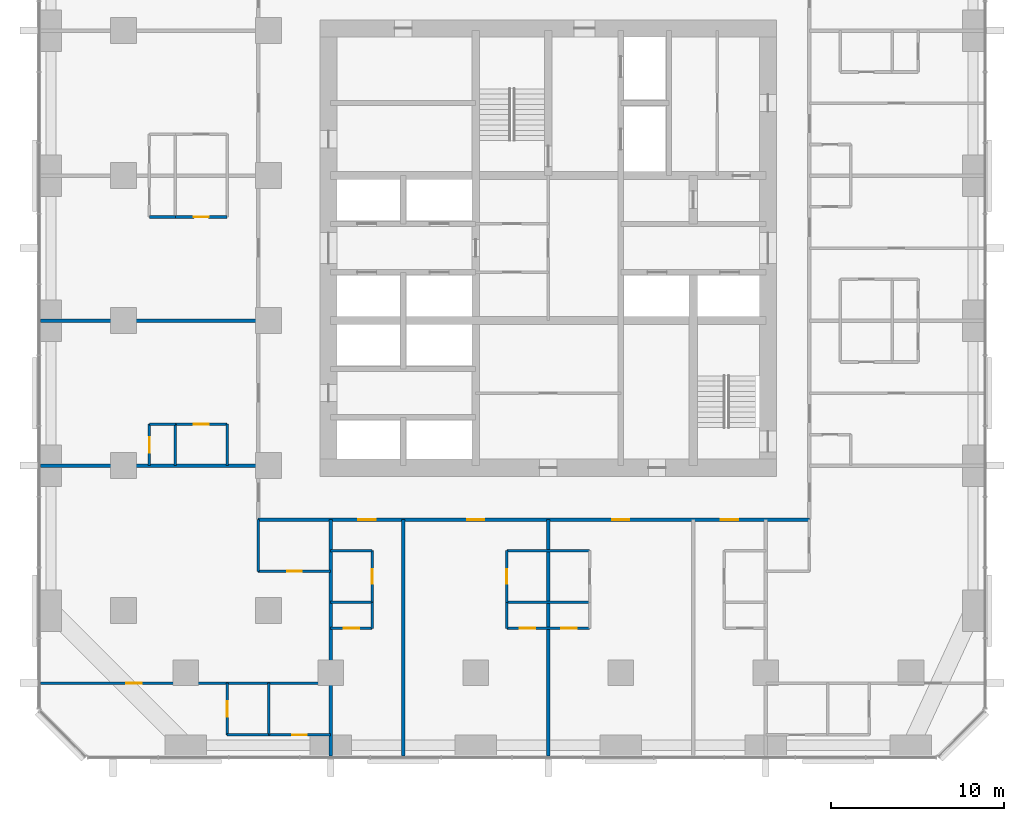
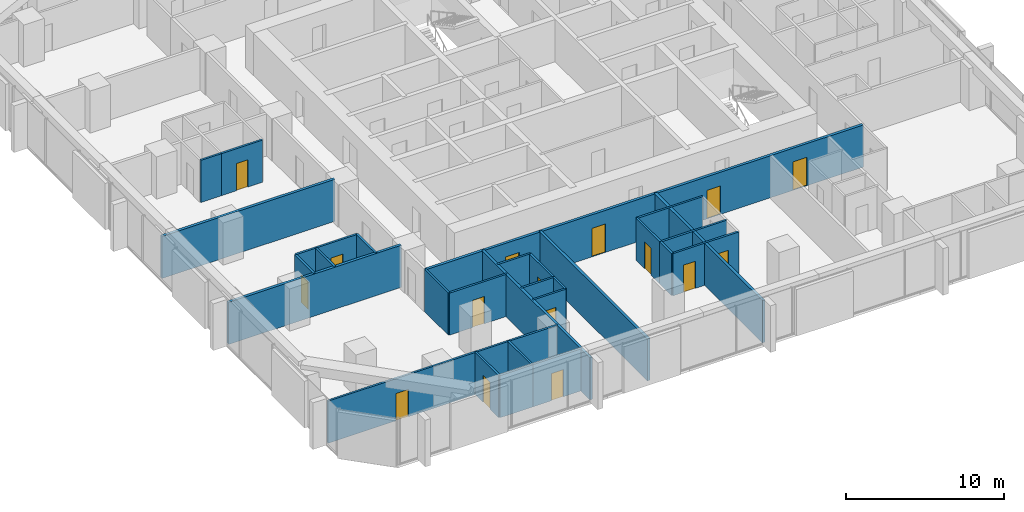
# One storey, part 8 of 14: 30 walls, 16 doors, 16 openings.
"""IFC4 building model written with IfcOpenShell, lengths in metres."""

from ifc_helpers import new_model, si_unit, direction, frame, frame_2d, origin, place, context, subcontext, project, spatial, rectangle, extrude, material, layer, layer_set, type_object, element, fill, save


model = new_model("IFC4")

# Units and contexts
model_context = context("Model", 3, precision=1e-05, world=origin(), true_north=direction((0.0, 1.0)))
body_context = subcontext(model_context, "Body", "Model", "MODEL_VIEW")
ifc_project = project(units=[si_unit("LENGTHUNIT", "METRE"), si_unit("AREAUNIT", "SQUARE_METRE"), si_unit("VOLUMEUNIT", "CUBIC_METRE"), si_unit("PLANEANGLEUNIT", "RADIAN"), si_unit("MASSUNIT", "GRAM", prefix="KILO")], contexts=[model_context])

# Site, building, storey
site_placement = place(None, origin())
site = spatial("IfcSite", under=ifc_project, at=site_placement, CompositionType="ELEMENT")
building_placement = place(site_placement, origin())
building = spatial("IfcBuilding", under=site, at=building_placement, Name="Dunama Terrace Hotel", CompositionType="ELEMENT")
storey_placement = place(building_placement, frame((0.0, 0.0, 129.60009765625)))
storey = spatial("IfcBuildingStorey", under=building, at=storey_placement, Name="L33", CompositionType="ELEMENT", Elevation=129.60009765625)

# Walls
ifc_material_1 = material(Name="Gypsum board partition", Category="masonry")
ifc_layer_1 = layer(ifc_material_1, 0.14990234375)
ifc_layer_set_1 = layer_set([ifc_layer_1], Name="Bathroom partition 150")
wall_type_1 = type_object("IfcWallType", Name="Bathroom partition 150", PredefinedType="PARTITIONING", material=ifc_layer_set_1)
wall_1_placement = place(storey_placement, frame((10.800048828125, 16.800048828125, 0.0), z_axis=(0.0, 0.0, 1.0), x_axis=(0.0, 1.0, 0.0)))
element("IfcWall", 1, at=wall_1_placement, inside=storey, type_object=wall_type_1, Name="Bathroom partition 150 L33", PredefinedType="PARTITIONING", context=body_context, shape_type="SweptSolid", body=[
    extrude(rectangle(XDim=2.39990234375, YDim=0.14990234375, at=frame_2d((1.199951171875, 0.0))), origin(), (0.0, 0.0, 1.0), 3.25),
])
wall_2_placement = place(storey_placement, frame((12.60009765625, 10.675048828125, 0.0), z_axis=(0.0, 0.0, 1.0), x_axis=(0.0, 1.0, 0.0)))
element("IfcWall", 2, at=wall_2_placement, inside=storey, type_object=wall_type_1, Name="Bathroom partition 150 L33", PredefinedType="PARTITIONING", context=body_context, shape_type="SweptSolid", body=[
    extrude(rectangle(XDim=3.0, YDim=0.14990234375, at=frame_2d((1.5, 0.0))), origin(), (0.0, 0.0, 1.0), 3.25),
])

# Wall, opening, door
wall_3_placement = place(storey_placement, frame((19.199951171875, 8.875, 0.0), z_axis=(0.0, 0.0, 1.0), x_axis=(0.0, 1.0, 0.0)))
wall_3 = element("IfcWall", 3, at=wall_3_placement, inside=storey, type_object=wall_type_1, Name="Bathroom partition 150 L33", PredefinedType="PARTITIONING", context=body_context, shape_type="SweptSolid", body=[
    extrude(rectangle(XDim=3.0, YDim=0.14990234375, at=frame_2d((1.5, 0.0))), origin(), (0.0, 0.0, 1.0), 3.25),
])
opening_1_placement = place(wall_3_placement, frame((1.074951171875, 0.0, 0.0)))
opening_1 = element("IfcOpeningElement", 4, at=opening_1_placement, cuts=wall_3, Name="Opening L31-33-012", PredefinedType="OPENING", context=body_context, shape_type="SweptSolid", body=[
    extrude(rectangle(XDim=0.85009765625, YDim=2.10009765625, at=frame_2d((0.425048828125, 1.050048828125))), frame((0.0, 0.0849609375, 0.0), z_axis=(0.0, -1.0, 0.0), x_axis=(1.0, 0.0, 0.0)), (0.0, 0.0, 1.0), 0.169921875),
])
ifc_material_2 = material(Name="Timber door with steel frame", Category="steel")
door_type_1 = type_object("IfcDoorType", Name="Bathroom door 850", OperationType="SINGLE_SWING_LEFT", PredefinedType="DOOR", material=ifc_material_2)
door_1_placement = place(opening_1_placement, origin())
door_1 = element("IfcDoor", 5, at=door_1_placement, inside=storey, type_object=door_type_1, Name="Door to en-suite bathroom L31-33-012, type D2", OperationType="SINGLE_SWING_LEFT", OverallHeight=2.10009765625, OverallWidth=0.85009765625, PredefinedType="DOOR", context=body_context, shape_type="SweptSolid", body=[
    extrude(rectangle(XDim=0.85009765625, YDim=2.10009765625, at=frame_2d((0.425048828125, 1.050048828125))), frame((0.0, 0.02490234375, 0.0), z_axis=(0.0, -1.0, 0.0), x_axis=(1.0, 0.0, 0.0)), (0.0, 0.0, 1.0), 0.050048828125),
])
fill(opening_1, door_1)

wall_4_placement = place(storey_placement, frame((27.0, 8.875, 0.0), z_axis=(0.0, 0.0, 1.0), x_axis=(0.0, 1.0, 0.0)))
wall_4 = element("IfcWall", 6, at=wall_4_placement, inside=storey, type_object=wall_type_1, Name="Bathroom partition 150 L33", PredefinedType="PARTITIONING", context=body_context, shape_type="SweptSolid", body=[
    extrude(rectangle(XDim=3.0, YDim=0.14990234375, at=frame_2d((1.5, 0.0))), origin(), (0.0, 0.0, 1.0), 3.25),
])
opening_2_placement = place(wall_4_placement, frame((1.074951171875, 0.0, 0.0)))
opening_2 = element("IfcOpeningElement", 7, at=opening_2_placement, cuts=wall_4, Name="Opening L31-33-015", PredefinedType="OPENING", context=body_context, shape_type="SweptSolid", body=[
    extrude(rectangle(XDim=0.85009765625, YDim=2.10009765625, at=frame_2d((0.425048828125, 1.050048828125))), frame((0.0, 0.0849609375, 0.0), z_axis=(0.0, -1.0, 0.0), x_axis=(1.0, 0.0, 0.0)), (0.0, 0.0, 1.0), 0.169921875),
])
door_2_placement = place(opening_2_placement, frame((0.85009765625, 0.0, 0.0), z_axis=(0.0, 0.0, 1.0), x_axis=(-1.0, 0.0, 0.0)))
door_2 = element("IfcDoor", 8, at=door_2_placement, inside=storey, type_object=door_type_1, Name="Door to en-suite bathroom L31-33-015, type D2", OperationType="SINGLE_SWING_RIGHT", OverallHeight=2.10009765625, OverallWidth=0.85009765625, PredefinedType="DOOR", context=body_context, shape_type="SweptSolid", body=[
    extrude(rectangle(XDim=0.85009765625, YDim=2.10009765625, at=frame_2d((0.425048828125, 1.050048828125))), frame((0.0, 0.025146484375, 0.0), z_axis=(0.0, -1.0, 0.0), x_axis=(1.0, 0.0, 0.0)), (0.0, 0.0, 1.0), 0.050048828125),
])
fill(opening_2, door_2)

wall_5_placement = place(storey_placement, frame((13.199951171875, 1.199951171875, 0.0), z_axis=(0.0, 0.0, 1.0), x_axis=(1.0, 0.0, 0.0)))
wall_5 = element("IfcWall", 9, at=wall_5_placement, inside=storey, type_object=wall_type_1, Name="Bathroom partition 150 L33", PredefinedType="PARTITIONING", context=body_context, shape_type="SweptSolid", body=[
    extrude(rectangle(XDim=3.60009765625, YDim=0.14990234375, at=frame_2d((1.800048828125, 0.0))), origin(), (0.0, 0.0, 1.0), 3.25),
])
opening_3_placement = place(wall_5_placement, frame((1.375, 0.0, 0.0)))
opening_3 = element("IfcOpeningElement", 10, at=opening_3_placement, cuts=wall_5, Name="Opening L31-33-065", PredefinedType="OPENING", context=body_context, shape_type="SweptSolid", body=[
    extrude(rectangle(XDim=0.85009765625, YDim=2.10009765625, at=frame_2d((0.425048828125, 1.050048828125))), frame((0.0, 0.0849609375, 0.0), z_axis=(0.0, -1.0, 0.0), x_axis=(1.0, 0.0, 0.0)), (0.0, 0.0, 1.0), 0.169921875),
])
door_3_placement = place(opening_3_placement, origin())
door_3 = element("IfcDoor", 11, at=door_3_placement, inside=storey, type_object=door_type_1, Name="Door to en-suite bathroom L31-33-065, type D2", OperationType="SINGLE_SWING_RIGHT", OverallHeight=2.10009765625, OverallWidth=0.85009765625, PredefinedType="DOOR", context=body_context, shape_type="SweptSolid", body=[
    extrude(rectangle(XDim=0.85009765625, YDim=2.10009765625, at=frame_2d((0.425048828125, 1.050048828125))), frame((0.0, 0.02490234375, 0.0), z_axis=(0.0, -1.0, 0.0), x_axis=(1.0, 0.0, 0.0)), (0.0, 0.0, 1.0), 0.050048828125),
])
fill(opening_3, door_3)

wall_6_placement = place(storey_placement, frame((12.60009765625, 10.675048828125, 0.0), z_axis=(0.0, 0.0, 1.0), x_axis=(1.0, 0.0, 0.0)))
wall_6 = element("IfcWall", 12, at=wall_6_placement, inside=storey, type_object=wall_type_1, Name="Bathroom partition 150 L33", PredefinedType="PARTITIONING", context=body_context, shape_type="SweptSolid", body=[
    extrude(rectangle(XDim=4.199951171875, YDim=0.14990234375, at=frame_2d((2.10009765625, 0.0))), origin(), (0.0, 0.0, 1.0), 3.25),
])
opening_4_placement = place(wall_6_placement, frame((1.675048828125, 0.0, 0.0)))
opening_4 = element("IfcOpeningElement", 13, at=opening_4_placement, cuts=wall_6, Name="Opening L31-33-063", PredefinedType="OPENING", context=body_context, shape_type="SweptSolid", body=[
    extrude(rectangle(XDim=0.85009765625, YDim=2.10009765625, at=frame_2d((0.425048828125, 1.050048828125))), frame((0.0, 0.0849609375, 0.0), z_axis=(0.0, -1.0, 0.0), x_axis=(1.0, 0.0, 0.0)), (0.0, 0.0, 1.0), 0.169921875),
])
door_4_placement = place(opening_4_placement, origin())
door_4 = element("IfcDoor", 14, at=door_4_placement, inside=storey, type_object=door_type_1, Name="Door to powder room L31-33-063, type D2", OperationType="SINGLE_SWING_LEFT", OverallHeight=2.10009765625, OverallWidth=0.85009765625, PredefinedType="DOOR", context=body_context, shape_type="SweptSolid", body=[
    extrude(rectangle(XDim=0.85009765625, YDim=2.10009765625, at=frame_2d((0.425048828125, 1.050048828125))), frame((0.0, 0.02490234375, 0.0), z_axis=(0.0, -1.0, 0.0), x_axis=(1.0, 0.0, 0.0)), (0.0, 0.0, 1.0), 0.050048828125),
])
fill(opening_4, door_4)

# Walls
wall_7_placement = place(storey_placement, frame((16.800048828125, 11.875, 0.0), z_axis=(0.0, 0.0, 1.0), x_axis=(1.0, 0.0, 0.0)))
element("IfcWall", 15, at=wall_7_placement, inside=storey, type_object=wall_type_1, Name="Bathroom partition 150 L33", PredefinedType="PARTITIONING", context=body_context, shape_type="SweptSolid", body=[
    extrude(rectangle(XDim=2.39990234375, YDim=0.14990234375, at=frame_2d((1.199951171875, 0.0))), origin(), (0.0, 0.0, 1.0), 3.25),
])
wall_8_placement = place(storey_placement, frame((27.0, 11.875, 0.0), z_axis=(0.0, 0.0, 1.0), x_axis=(1.0, 0.0, 0.0)))
element("IfcWall", 16, at=wall_8_placement, inside=storey, type_object=wall_type_1, Name="Bathroom partition 150 L33", PredefinedType="PARTITIONING", context=body_context, shape_type="SweptSolid", body=[
    extrude(rectangle(XDim=4.800048828125, YDim=0.14990234375, at=frame_2d((2.39990234375, 0.0))), origin(), (0.0, 0.0, 1.0), 3.25),
])

# Wall, opening, door
wall_9_placement = place(storey_placement, frame((7.800048828125, 19.199951171875, 0.0), z_axis=(0.0, 0.0, 1.0), x_axis=(1.0, 0.0, 0.0)))
wall_9 = element("IfcWall", 17, at=wall_9_placement, inside=storey, type_object=wall_type_1, Name="Bathroom partition 150 L33", PredefinedType="PARTITIONING", context=body_context, shape_type="SweptSolid", body=[
    extrude(rectangle(XDim=3.0, YDim=0.14990234375, at=frame_2d((1.5, 0.0))), origin(), (0.0, 0.0, 1.0), 3.25),
])
opening_5_placement = place(wall_9_placement, frame((1.074951171875, 0.0, 0.0)))
opening_5 = element("IfcOpeningElement", 18, at=opening_5_placement, cuts=wall_9, Name="Opening L31-33-054", PredefinedType="OPENING", context=body_context, shape_type="SweptSolid", body=[
    extrude(rectangle(XDim=0.85009765625, YDim=2.10009765625, at=frame_2d((0.425048828125, 1.050048828125))), frame((0.0, 0.0849609375, 0.0), z_axis=(0.0, -1.0, 0.0), x_axis=(1.0, 0.0, 0.0)), (0.0, 0.0, 1.0), 0.169921875),
])
door_5_placement = place(opening_5_placement, frame((0.85009765625, 0.0, 0.0), z_axis=(0.0, 0.0, 1.0), x_axis=(-1.0, 0.0, 0.0)))
door_5 = element("IfcDoor", 19, at=door_5_placement, inside=storey, type_object=door_type_1, Name="Door to en-suite bathroom L31-33-054, type D2", OperationType="SINGLE_SWING_RIGHT", OverallHeight=2.10009765625, OverallWidth=0.85009765625, PredefinedType="DOOR", context=body_context, shape_type="SweptSolid", body=[
    extrude(rectangle(XDim=0.85009765625, YDim=2.10009765625, at=frame_2d((0.425048828125, 1.050048828125))), frame((0.0, 0.025146484375, 0.0), z_axis=(0.0, -1.0, 0.0), x_axis=(1.0, 0.0, 0.0)), (0.0, 0.0, 1.0), 0.050048828125),
])
fill(opening_5, door_5)

wall_10_placement = place(storey_placement, frame((7.800048828125, 31.199951171875, 0.0), z_axis=(0.0, 0.0, 1.0), x_axis=(1.0, 0.0, 0.0)))
wall_10 = element("IfcWall", 20, at=wall_10_placement, inside=storey, type_object=wall_type_1, Name="Bathroom partition 150 L33", PredefinedType="PARTITIONING", context=body_context, shape_type="SweptSolid", body=[
    extrude(rectangle(XDim=3.0, YDim=0.14990234375, at=frame_2d((1.5, 0.0))), origin(), (0.0, 0.0, 1.0), 3.25),
])
opening_6_placement = place(wall_10_placement, frame((1.074951171875, 0.0, 0.0)))
opening_6 = element("IfcOpeningElement", 21, at=opening_6_placement, cuts=wall_10, Name="Opening L31-33-057", PredefinedType="OPENING", context=body_context, shape_type="SweptSolid", body=[
    extrude(rectangle(XDim=0.85009765625, YDim=2.10009765625, at=frame_2d((0.425048828125, 1.050048828125))), frame((0.0, 0.0849609375, 0.0), z_axis=(0.0, -1.0, 0.0), x_axis=(1.0, 0.0, 0.0)), (0.0, 0.0, 1.0), 0.169921875),
])
door_6_placement = place(opening_6_placement, origin())
door_6 = element("IfcDoor", 22, at=door_6_placement, inside=storey, type_object=door_type_1, Name="Door to en-suite bathroom L31-33-057, type D2", OperationType="SINGLE_SWING_LEFT", OverallHeight=2.10009765625, OverallWidth=0.85009765625, PredefinedType="DOOR", context=body_context, shape_type="SweptSolid", body=[
    extrude(rectangle(XDim=0.85009765625, YDim=2.10009765625, at=frame_2d((0.425048828125, 1.050048828125))), frame((0.0, 0.02490234375, 0.0), z_axis=(0.0, -1.0, 0.0), x_axis=(1.0, 0.0, 0.0)), (0.0, 0.0, 1.0), 0.050048828125),
])
fill(opening_6, door_6)

# Wall, openings, doors
ifc_material_3 = material(Name="Concrete blockwork", Category="masonry")
ifc_layer_2 = layer(ifc_material_3, 0.199951171875)
ifc_layer_set_2 = layer_set([ifc_layer_2], Name="Corridor partition 200")
wall_type_2 = type_object("IfcWallType", Name="Corridor partition 200", PredefinedType="PARTITIONING", material=ifc_layer_set_2)
wall_11_placement = place(storey_placement, frame((44.52490234375, 13.675048828125, 0.0), z_axis=(0.0, 0.0, 1.0), x_axis=(-1.0, 0.0, 0.0)))
wall_11 = element("IfcWall", 23, at=wall_11_placement, inside=storey, type_object=wall_type_2, Name="Corridor partition 200 L33", PredefinedType="PARTITIONING", context=body_context, shape_type="SweptSolid", body=[
    extrude(rectangle(XDim=31.9248046875, YDim=0.199951171875, at=frame_2d((15.96240234375, 0.0))), origin(), (0.0, 0.0, 1.0), 3.25),
])
opening_7_placement = place(wall_11_placement, frame((25.125, 0.0, 0.0)))
opening_7 = element("IfcOpeningElement", 24, at=opening_7_placement, cuts=wall_11, Name="Opening L31-33-011", PredefinedType="OPENING", context=body_context, shape_type="SweptSolid", body=[
    extrude(rectangle(XDim=1.0, YDim=2.199951171875, at=frame_2d((0.5, 1.10009765625))), frame((0.0, 0.10986328125, 0.0), z_axis=(0.0, -1.0, 0.0), x_axis=(1.0, 0.0, 0.0)), (0.0, 0.0, 1.0), 0.219970703125),
])
opening_8_placement = place(wall_11_placement, frame((18.824951171875, 0.0, 0.0)))
opening_8 = element("IfcOpeningElement", 25, at=opening_8_placement, cuts=wall_11, Name="Opening L31-33-014", PredefinedType="OPENING", context=body_context, shape_type="SweptSolid", body=[
    extrude(rectangle(XDim=1.0, YDim=2.199951171875, at=frame_2d((0.5, 1.10009765625))), frame((0.0, 0.10986328125, 0.0), z_axis=(0.0, -1.0, 0.0), x_axis=(1.0, 0.0, 0.0)), (0.0, 0.0, 1.0), 0.219970703125),
])
opening_9_placement = place(wall_11_placement, frame((10.425048828125, 0.0, 0.0)))
opening_9 = element("IfcOpeningElement", 26, at=opening_9_placement, cuts=wall_11, Name="Opening L31-33-017", PredefinedType="OPENING", context=body_context, shape_type="SweptSolid", body=[
    extrude(rectangle(XDim=1.0, YDim=2.199951171875, at=frame_2d((0.5, 1.10009765625))), frame((0.0, 0.10986328125, 0.0), z_axis=(0.0, -1.0, 0.0), x_axis=(1.0, 0.0, 0.0)), (0.0, 0.0, 1.0), 0.219970703125),
])
opening_10_placement = place(wall_11_placement, frame((4.125, 0.0, 0.0)))
opening_10 = element("IfcOpeningElement", 27, at=opening_10_placement, cuts=wall_11, Name="Opening L31-33-020", PredefinedType="OPENING", context=body_context, shape_type="SweptSolid", body=[
    extrude(rectangle(XDim=1.0, YDim=2.199951171875, at=frame_2d((0.5, 1.10009765625))), frame((0.0, 0.10986328125, 0.0), z_axis=(0.0, -1.0, 0.0), x_axis=(1.0, 0.0, 0.0)), (0.0, 0.0, 1.0), 0.219970703125),
])
ifc_material_4 = material(Name="Timber door with steel frame", Category="steel")
door_type_2 = type_object("IfcDoorType", Name="Guest room door 1000", OperationType="SINGLE_SWING_LEFT", PredefinedType="DOOR", material=ifc_material_4)
door_7_placement = place(opening_7_placement, origin())
door_7 = element("IfcDoor", 28, at=door_7_placement, inside=storey, type_object=door_type_2, Name="Door to premier room L31-33-011, type D1", OperationType="SINGLE_SWING_RIGHT", OverallHeight=2.199951171875, OverallWidth=1.0, PredefinedType="DOOR", context=body_context, shape_type="SweptSolid", body=[
    extrude(rectangle(XDim=1.0, YDim=2.199951171875, at=frame_2d((0.5, 1.10009765625))), frame((0.0, 0.02490234375, 0.0), z_axis=(0.0, -1.0, 0.0), x_axis=(1.0, 0.0, 0.0)), (0.0, 0.0, 1.0), 0.050048828125),
])
fill(opening_7, door_7)
door_8_placement = place(opening_8_placement, origin())
door_8 = element("IfcDoor", 29, at=door_8_placement, inside=storey, type_object=door_type_2, Name="Door to junior suite L31-33-014, type D1", OperationType="SINGLE_SWING_LEFT", OverallHeight=2.199951171875, OverallWidth=1.0, PredefinedType="DOOR", context=body_context, shape_type="SweptSolid", body=[
    extrude(rectangle(XDim=1.0, YDim=2.199951171875, at=frame_2d((0.5, 1.10009765625))), frame((0.0, 0.02490234375, 0.0), z_axis=(0.0, -1.0, 0.0), x_axis=(1.0, 0.0, 0.0)), (0.0, 0.0, 1.0), 0.050048828125),
])
fill(opening_8, door_8)
door_9_placement = place(opening_9_placement, origin())
door_9 = element("IfcDoor", 30, at=door_9_placement, inside=storey, type_object=door_type_2, Name="Door to junior suite L31-33-017, type D1", OperationType="SINGLE_SWING_RIGHT", OverallHeight=2.199951171875, OverallWidth=1.0, PredefinedType="DOOR", context=body_context, shape_type="SweptSolid", body=[
    extrude(rectangle(XDim=1.0, YDim=2.199951171875, at=frame_2d((0.5, 1.10009765625))), frame((0.0, 0.02490234375, 0.0), z_axis=(0.0, -1.0, 0.0), x_axis=(1.0, 0.0, 0.0)), (0.0, 0.0, 1.0), 0.050048828125),
])
fill(opening_9, door_9)
door_10_placement = place(opening_10_placement, origin())
door_10 = element("IfcDoor", 31, at=door_10_placement, inside=storey, type_object=door_type_2, Name="Door to premier room L31-33-020, type D1", OperationType="SINGLE_SWING_LEFT", OverallHeight=2.199951171875, OverallWidth=1.0, PredefinedType="DOOR", context=body_context, shape_type="SweptSolid", body=[
    extrude(rectangle(XDim=1.0, YDim=2.199951171875, at=frame_2d((0.5, 1.10009765625))), frame((0.0, 0.02490234375, 0.0), z_axis=(0.0, -1.0, 0.0), x_axis=(1.0, 0.0, 0.0)), (0.0, 0.0, 1.0), 0.050048828125),
])
fill(opening_10, door_10)

# Walls
ifc_material_5 = material(Name="Concrete blockwork", Category="masonry")
ifc_layer_3 = layer(ifc_material_5, 0.199951171875)
ifc_layer_set_3 = layer_set([ifc_layer_3], Name="Party wall 200")
wall_type_3 = type_object("IfcWallType", Name="Party wall 200", PredefinedType="PARTITIONING", material=ifc_layer_set_3)
for number, where, z_axis, x_axis, name in (
    (32, (16.800048828125, -0.01806640625, 0.0), (0.0, 0.0, 1.0), (0.0, 1.0, 0.0), "Party wall 200 L33"),
    (33, (21.0, -0.01806640625, 0.0), (0.0, 0.0, 1.0), (0.0, 1.0, 0.0), "Party wall 200 L33"),
    (34, (29.39990234375, -0.01806640625, 0.0), (0.0, 0.0, 1.0), (0.0, 1.0, 0.0), "Party wall 200 L33"),
):
    element("IfcWall", number, at=place(storey_placement, frame(where, z_axis=z_axis, x_axis=x_axis)), inside=storey, type_object=wall_type_3, Name=name, PredefinedType="PARTITIONING", context=body_context, shape_type="SweptSolid", body=[
        extrude(rectangle(XDim=13.693115234375, YDim=0.199951171875, at=frame_2d((6.8466796875, 0.0))), origin(), (0.0, 0.0, 1.0), 3.25),
    ])
for number, where, z_axis, x_axis, name in (
    (35, (-0.01806640625, 16.800048828125, 0.0), (0.0, 0.0, 1.0), (1.0, 0.0, 0.0), "Party wall 200 L33"),
    (36, (-0.01806640625, 25.199951171875, 0.0), (0.0, 0.0, 1.0), (1.0, 0.0, 0.0), "Party wall 200 L33"),
):
    element("IfcWall", number, at=place(storey_placement, frame(where, z_axis=z_axis, x_axis=x_axis)), inside=storey, type_object=wall_type_3, Name=name, PredefinedType="PARTITIONING", context=body_context, shape_type="SweptSolid", body=[
        extrude(rectangle(XDim=12.6181640625, YDim=0.199951171875, at=frame_2d((6.30908203125, 0.0))), origin(), (0.0, 0.0, 1.0), 3.25),
    ])

# Wall, opening, door
ifc_material_6 = material(Name="Gypsum board partition", Category="masonry")
ifc_layer_4 = layer(ifc_material_6, 0.14990234375)
ifc_layer_set_4 = layer_set([ifc_layer_4], Name="Room partition 150")
wall_type_4 = type_object("IfcWallType", Name="Room partition 150", PredefinedType="PARTITIONING", material=ifc_layer_set_4)
wall_12_placement = place(storey_placement, frame((6.300048828125, 16.800048828125, 0.0), z_axis=(0.0, 0.0, 1.0), x_axis=(0.0, 1.0, 0.0)))
wall_12 = element("IfcWall", 37, at=wall_12_placement, inside=storey, type_object=wall_type_4, Name="Room partition 150 L33", PredefinedType="PARTITIONING", context=body_context, shape_type="SweptSolid", body=[
    extrude(rectangle(XDim=2.39990234375, YDim=0.14990234375, at=frame_2d((1.199951171875, 0.0))), origin(), (0.0, 0.0, 1.0), 3.25),
])
opening_11_placement = place(wall_12_placement, frame((0.75, 0.0, 0.0)))
opening_11 = element("IfcOpeningElement", 38, at=opening_11_placement, cuts=wall_12, Name="Opening L31-33-055", PredefinedType="OPENING", context=body_context, shape_type="SweptSolid", body=[
    extrude(rectangle(XDim=0.89990234375, YDim=2.10009765625, at=frame_2d((0.449951171875, 1.050048828125))), frame((0.0, 0.0849609375, 0.0), z_axis=(0.0, -1.0, 0.0), x_axis=(1.0, 0.0, 0.0)), (0.0, 0.0, 1.0), 0.169921875),
])
ifc_material_7 = material(Name="Timber door with steel frame", Category="steel")
door_type_3 = type_object("IfcDoorType", Name="Suite internal door 900", OperationType="SINGLE_SWING_LEFT", PredefinedType="DOOR", material=ifc_material_7)
door_11_placement = place(opening_11_placement, frame((0.89990234375, 0.0, 0.0), z_axis=(0.0, 0.0, 1.0), x_axis=(-1.0, 0.0, 0.0)))
door_11 = element("IfcDoor", 39, at=door_11_placement, inside=storey, type_object=door_type_3, Name="Door to walk-in wardrobe L31-33-055, type D16", OperationType="SINGLE_SWING_RIGHT", OverallHeight=2.10009765625, OverallWidth=0.89990234375, PredefinedType="DOOR", context=body_context, shape_type="SweptSolid", body=[
    extrude(rectangle(XDim=0.89990234375, YDim=2.10009765625, at=frame_2d((0.449951171875, 1.050048828125))), frame((0.0, 0.025146484375, 0.0), z_axis=(0.0, -1.0, 0.0), x_axis=(1.0, 0.0, 0.0)), (0.0, 0.0, 1.0), 0.050048828125),
])
fill(opening_11, door_11)

# Wall
wall_13_placement = place(storey_placement, frame((7.800048828125, 16.800048828125, 0.0), z_axis=(0.0, 0.0, 1.0), x_axis=(0.0, 1.0, 0.0)))
element("IfcWall", 40, at=wall_13_placement, inside=storey, type_object=wall_type_4, Name="Room partition 150 L33", PredefinedType="PARTITIONING", context=body_context, shape_type="SweptSolid", body=[
    extrude(rectangle(XDim=2.39990234375, YDim=0.14990234375, at=frame_2d((1.199951171875, 0.0))), origin(), (0.0, 0.0, 1.0), 3.25),
])

# Wall, opening, door
wall_14_placement = place(storey_placement, frame((10.800048828125, 1.199951171875, 0.0), z_axis=(0.0, 0.0, 1.0), x_axis=(0.0, 1.0, 0.0)))
wall_14 = element("IfcWall", 41, at=wall_14_placement, inside=storey, type_object=wall_type_4, Name="Room partition 150 L33", PredefinedType="PARTITIONING", context=body_context, shape_type="SweptSolid", body=[
    extrude(rectangle(XDim=3.0, YDim=0.14990234375, at=frame_2d((1.5, 0.0))), origin(), (0.0, 0.0, 1.0), 3.25),
])
opening_12_placement = place(wall_14_placement, frame((1.050048828125, 0.0, 0.0)))
opening_12 = element("IfcOpeningElement", 42, at=opening_12_placement, cuts=wall_14, Name="Opening L31-33-066", PredefinedType="OPENING", context=body_context, shape_type="SweptSolid", body=[
    extrude(rectangle(XDim=0.89990234375, YDim=2.10009765625, at=frame_2d((0.449951171875, 1.050048828125))), frame((0.0, 0.0849609375, 0.0), z_axis=(0.0, -1.0, 0.0), x_axis=(1.0, 0.0, 0.0)), (0.0, 0.0, 1.0), 0.169921875),
])
door_12_placement = place(opening_12_placement, frame((0.89990234375, 0.0, 0.0), z_axis=(0.0, 0.0, 1.0), x_axis=(-1.0, 0.0, 0.0)))
door_12 = element("IfcDoor", 43, at=door_12_placement, inside=storey, type_object=door_type_3, Name="Door to dressing room L31-33-066, type D16", OperationType="SINGLE_SWING_LEFT", OverallHeight=2.10009765625, OverallWidth=0.89990234375, PredefinedType="DOOR", context=body_context, shape_type="SweptSolid", body=[
    extrude(rectangle(XDim=0.89990234375, YDim=2.10009765625, at=frame_2d((0.449951171875, 1.050048828125))), frame((0.0, 0.025146484375, 0.0), z_axis=(0.0, -1.0, 0.0), x_axis=(1.0, 0.0, 0.0)), (0.0, 0.0, 1.0), 0.050048828125),
])
fill(opening_12, door_12)

# Walls
wall_15_placement = place(storey_placement, frame((13.199951171875, 1.199951171875, 0.0), z_axis=(0.0, 0.0, 1.0), x_axis=(0.0, 1.0, 0.0)))
element("IfcWall", 44, at=wall_15_placement, inside=storey, type_object=wall_type_4, Name="Room partition 150 L33", PredefinedType="PARTITIONING", context=body_context, shape_type="SweptSolid", body=[
    extrude(rectangle(XDim=3.0, YDim=0.14990234375, at=frame_2d((1.5, 0.0))), origin(), (0.0, 0.0, 1.0), 3.25),
])
for number, where, z_axis, x_axis, name in (
    (45, (19.199951171875, 7.375, 0.0), (0.0, 0.0, 1.0), (0.0, 1.0, 0.0), "Room partition 150 L33"),
    (46, (27.0, 7.375, 0.0), (0.0, 0.0, 1.0), (0.0, 1.0, 0.0), "Room partition 150 L33"),
):
    element("IfcWall", number, at=place(storey_placement, frame(where, z_axis=z_axis, x_axis=x_axis)), inside=storey, type_object=wall_type_4, Name=name, PredefinedType="PARTITIONING", context=body_context, shape_type="SweptSolid", body=[
        extrude(rectangle(XDim=1.5, YDim=0.14990234375, at=frame_2d((0.75, 0.0))), origin(), (0.0, 0.0, 1.0), 3.25),
    ])
wall_16_placement = place(storey_placement, frame((10.800048828125, 1.199951171875, 0.0), z_axis=(0.0, 0.0, 1.0), x_axis=(1.0, 0.0, 0.0)))
element("IfcWall", 47, at=wall_16_placement, inside=storey, type_object=wall_type_4, Name="Room partition 150 L33", PredefinedType="PARTITIONING", context=body_context, shape_type="SweptSolid", body=[
    extrude(rectangle(XDim=2.39990234375, YDim=0.14990234375, at=frame_2d((1.199951171875, 0.0))), origin(), (0.0, 0.0, 1.0), 3.25),
])

# Wall, opening, door
wall_17_placement = place(storey_placement, frame((-0.01806640625, 4.199951171875, 0.0), z_axis=(0.0, 0.0, 1.0), x_axis=(1.0, 0.0, 0.0)))
wall_17 = element("IfcWall", 48, at=wall_17_placement, inside=storey, type_object=wall_type_4, Name="Room partition 150 L33", PredefinedType="PARTITIONING", context=body_context, shape_type="SweptSolid", body=[
    extrude(rectangle(XDim=16.818115234375, YDim=0.14990234375, at=frame_2d((8.4091796875, 0.0))), origin(), (0.0, 0.0, 1.0), 3.25),
])
opening_13_placement = place(wall_17_placement, frame((4.968017578125, 0.0, 0.0)))
opening_13 = element("IfcOpeningElement", 49, at=opening_13_placement, cuts=wall_17, Name="Opening L31-33-064", PredefinedType="OPENING", context=body_context, shape_type="SweptSolid", body=[
    extrude(rectangle(XDim=0.89990234375, YDim=2.10009765625, at=frame_2d((0.449951171875, 1.050048828125))), frame((0.0, 0.0849609375, 0.0), z_axis=(0.0, -1.0, 0.0), x_axis=(1.0, 0.0, 0.0)), (0.0, 0.0, 1.0), 0.169921875),
])
door_13_placement = place(opening_13_placement, frame((0.89990234375, 0.0, 0.0), z_axis=(0.0, 0.0, 1.0), x_axis=(-1.0, 0.0, 0.0)))
door_13 = element("IfcDoor", 50, at=door_13_placement, inside=storey, type_object=door_type_3, Name="Door to corner suite bedroom L31-33-064, type D16", OperationType="SINGLE_SWING_LEFT", OverallHeight=2.10009765625, OverallWidth=0.89990234375, PredefinedType="DOOR", context=body_context, shape_type="SweptSolid", body=[
    extrude(rectangle(XDim=0.89990234375, YDim=2.10009765625, at=frame_2d((0.449951171875, 1.050048828125))), frame((0.0, 0.025146484375, 0.0), z_axis=(0.0, -1.0, 0.0), x_axis=(1.0, 0.0, 0.0)), (0.0, 0.0, 1.0), 0.050048828125),
])
fill(opening_13, door_13)

wall_18_placement = place(storey_placement, frame((16.800048828125, 7.375, 0.0), z_axis=(0.0, 0.0, 1.0), x_axis=(1.0, 0.0, 0.0)))
wall_18 = element("IfcWall", 51, at=wall_18_placement, inside=storey, type_object=wall_type_4, Name="Room partition 150 L33", PredefinedType="PARTITIONING", context=body_context, shape_type="SweptSolid", body=[
    extrude(rectangle(XDim=2.39990234375, YDim=0.14990234375, at=frame_2d((1.199951171875, 0.0))), origin(), (0.0, 0.0, 1.0), 3.25),
])
opening_14_placement = place(wall_18_placement, frame((0.75, 0.0, 0.0)))
opening_14 = element("IfcOpeningElement", 52, at=opening_14_placement, cuts=wall_18, Name="Opening L31-33-013", PredefinedType="OPENING", context=body_context, shape_type="SweptSolid", body=[
    extrude(rectangle(XDim=0.89990234375, YDim=2.10009765625, at=frame_2d((0.449951171875, 1.050048828125))), frame((0.0, 0.0849609375, 0.0), z_axis=(0.0, -1.0, 0.0), x_axis=(1.0, 0.0, 0.0)), (0.0, 0.0, 1.0), 0.169921875),
])
door_14_placement = place(opening_14_placement, origin())
door_14 = element("IfcDoor", 53, at=door_14_placement, inside=storey, type_object=door_type_3, Name="Door to walk-in wardrobe L31-33-013, type D16", OperationType="SINGLE_SWING_LEFT", OverallHeight=2.10009765625, OverallWidth=0.89990234375, PredefinedType="DOOR", context=body_context, shape_type="SweptSolid", body=[
    extrude(rectangle(XDim=0.89990234375, YDim=2.10009765625, at=frame_2d((0.449951171875, 1.050048828125))), frame((0.0, 0.02490234375, 0.0), z_axis=(0.0, -1.0, 0.0), x_axis=(1.0, 0.0, 0.0)), (0.0, 0.0, 1.0), 0.050048828125),
])
fill(opening_14, door_14)

# Wall, openings, doors
wall_19_placement = place(storey_placement, frame((27.0, 7.375, 0.0), z_axis=(0.0, 0.0, 1.0), x_axis=(1.0, 0.0, 0.0)))
wall_19 = element("IfcWall", 54, at=wall_19_placement, inside=storey, type_object=wall_type_4, Name="Room partition 150 L33", PredefinedType="PARTITIONING", context=body_context, shape_type="SweptSolid", body=[
    extrude(rectangle(XDim=4.800048828125, YDim=0.14990234375, at=frame_2d((2.39990234375, 0.0))), origin(), (0.0, 0.0, 1.0), 3.25),
])
opening_15_placement = place(wall_19_placement, frame((0.75, 0.0, 0.0)))
opening_15 = element("IfcOpeningElement", 55, at=opening_15_placement, cuts=wall_19, Name="Opening L31-33-016", PredefinedType="OPENING", context=body_context, shape_type="SweptSolid", body=[
    extrude(rectangle(XDim=0.89990234375, YDim=2.10009765625, at=frame_2d((0.449951171875, 1.050048828125))), frame((0.0, 0.0849609375, 0.0), z_axis=(0.0, -1.0, 0.0), x_axis=(1.0, 0.0, 0.0)), (0.0, 0.0, 1.0), 0.169921875),
])
opening_16_placement = place(wall_19_placement, frame((3.14990234375, 0.0, 0.0)))
opening_16 = element("IfcOpeningElement", 56, at=opening_16_placement, cuts=wall_19, Name="Opening L31-33-019", PredefinedType="OPENING", context=body_context, shape_type="SweptSolid", body=[
    extrude(rectangle(XDim=0.89990234375, YDim=2.10009765625, at=frame_2d((0.449951171875, 1.050048828125))), frame((0.0, 0.0849609375, 0.0), z_axis=(0.0, -1.0, 0.0), x_axis=(1.0, 0.0, 0.0)), (0.0, 0.0, 1.0), 0.169921875),
])
door_15_placement = place(opening_15_placement, origin())
door_15 = element("IfcDoor", 57, at=door_15_placement, inside=storey, type_object=door_type_3, Name="Door to walk-in wardrobe L31-33-016, type D16", OperationType="SINGLE_SWING_LEFT", OverallHeight=2.10009765625, OverallWidth=0.89990234375, PredefinedType="DOOR", context=body_context, shape_type="SweptSolid", body=[
    extrude(rectangle(XDim=0.89990234375, YDim=2.10009765625, at=frame_2d((0.449951171875, 1.050048828125))), frame((0.0, 0.02490234375, 0.0), z_axis=(0.0, -1.0, 0.0), x_axis=(1.0, 0.0, 0.0)), (0.0, 0.0, 1.0), 0.050048828125),
])
fill(opening_15, door_15)
door_16_placement = place(opening_16_placement, origin())
door_16 = element("IfcDoor", 58, at=door_16_placement, inside=storey, type_object=door_type_3, Name="Door to walk-in wardrobe L31-33-019, type D16", OperationType="SINGLE_SWING_LEFT", OverallHeight=2.10009765625, OverallWidth=0.89990234375, PredefinedType="DOOR", context=body_context, shape_type="SweptSolid", body=[
    extrude(rectangle(XDim=0.89990234375, YDim=2.10009765625, at=frame_2d((0.449951171875, 1.050048828125))), frame((0.0, 0.02490234375, 0.0), z_axis=(0.0, -1.0, 0.0), x_axis=(1.0, 0.0, 0.0)), (0.0, 0.0, 1.0), 0.050048828125),
])
fill(opening_16, door_16)

# Walls
wall_20_placement = place(storey_placement, frame((16.800048828125, 8.875, 0.0), z_axis=(0.0, 0.0, 1.0), x_axis=(1.0, 0.0, 0.0)))
element("IfcWall", 59, at=wall_20_placement, inside=storey, type_object=wall_type_4, Name="Room partition 150 L33", PredefinedType="PARTITIONING", context=body_context, shape_type="SweptSolid", body=[
    extrude(rectangle(XDim=2.39990234375, YDim=0.14990234375, at=frame_2d((1.199951171875, 0.0))), origin(), (0.0, 0.0, 1.0), 3.25),
])
wall_21_placement = place(storey_placement, frame((27.0, 8.875, 0.0), z_axis=(0.0, 0.0, 1.0), x_axis=(1.0, 0.0, 0.0)))
element("IfcWall", 60, at=wall_21_placement, inside=storey, type_object=wall_type_4, Name="Room partition 150 L33", PredefinedType="PARTITIONING", context=body_context, shape_type="SweptSolid", body=[
    extrude(rectangle(XDim=4.800048828125, YDim=0.14990234375, at=frame_2d((2.39990234375, 0.0))), origin(), (0.0, 0.0, 1.0), 3.25),
])
for number, where, z_axis, x_axis, name in (
    (61, (6.300048828125, 19.199951171875, 0.0), (0.0, 0.0, 1.0), (1.0, 0.0, 0.0), "Room partition 150 L33"),
    (62, (6.300048828125, 31.199951171875, 0.0), (0.0, 0.0, 1.0), (1.0, 0.0, 0.0), "Room partition 150 L33"),
):
    element("IfcWall", number, at=place(storey_placement, frame(where, z_axis=z_axis, x_axis=x_axis)), inside=storey, type_object=wall_type_4, Name=name, PredefinedType="PARTITIONING", context=body_context, shape_type="SweptSolid", body=[
        extrude(rectangle(XDim=1.5, YDim=0.14990234375, at=frame_2d((0.75, 0.0))), origin(), (0.0, 0.0, 1.0), 3.25),
    ])

save(model, "model.ifc")
